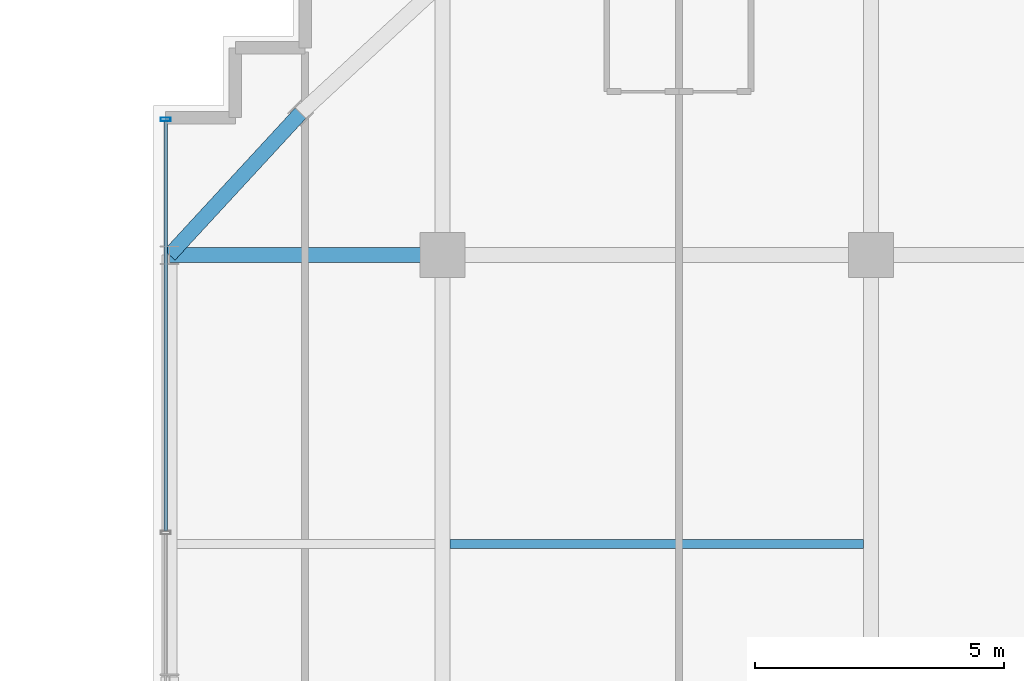
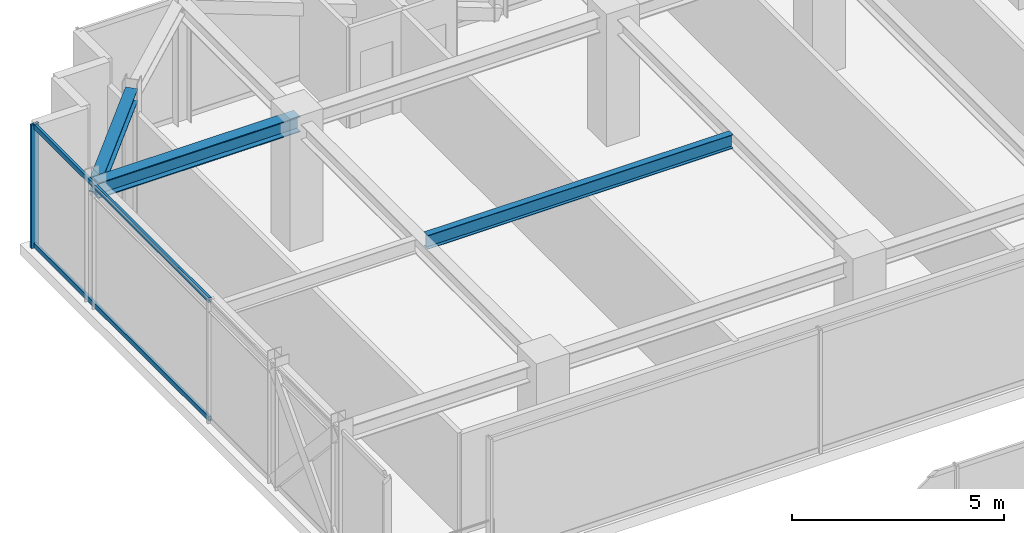
# One storey, part 22 of 37: 3 beams, 3 members, 1 element without a shape of its own.
"""IFC4 building model written with IfcOpenShell, lengths in metres."""

from ifc_helpers import new_model, si_unit, direction, frame, origin, origin_2d, place, context, subcontext, project, spatial, hollow_rectangle, i_section, extrude, source, transform, mapped, material, material_profile, profile_set, type_object, element, aggregate, save


model = new_model("IFC4")

# Units and contexts
model_context = context("Model", 3, precision=1e-05, world=origin(), true_north=direction((0.0, 1.0)))
body_context = subcontext(model_context, "Body", "Model", "MODEL_VIEW")
ifc_project = project(units=[si_unit("LENGTHUNIT", "METRE"), si_unit("AREAUNIT", "SQUARE_METRE"), si_unit("VOLUMEUNIT", "CUBIC_METRE"), si_unit("PLANEANGLEUNIT", "RADIAN"), si_unit("MASSUNIT", "GRAM", prefix="KILO")], contexts=[model_context])

# Site, building, storey
site_placement = place(None, origin())
site = spatial("IfcSite", under=ifc_project, at=site_placement, CompositionType="ELEMENT")
building_placement = place(site_placement, origin())
building = spatial("IfcBuilding", under=site, at=building_placement, Name="Nahalor Promenade Grand Hotel", CompositionType="ELEMENT")
storey_placement = place(building_placement, frame((0.0, 0.0, 308.050048828125)))
storey = spatial("IfcBuildingStorey", under=building, at=storey_placement, Name="L79", CompositionType="ELEMENT", Elevation=308.050048828125)

# Beams
ifc_material_1 = material(Name="Steel S355JR", Category="steel")
ifc_material_profile_1 = material_profile(ifc_material_1, i_section(OverallWidth=0.18, OverallDepth=0.4, WebThickness=0.0086, FlangeThickness=0.0135, at=origin_2d()), Name="IPE 400")
ifc_profile_set_1 = profile_set([ifc_material_profile_1], Name="Steel S355JR")
beam_type_1 = type_object("IfcBeamType", Name="Beam-Joist-IPE400", PredefinedType="JOIST", material=ifc_profile_set_1)
shared_shape_1 = source(origin(), body_context, "Body", "SweptSolid", [
    extrude(i_section(OverallWidth=0.18, OverallDepth=0.4, WebThickness=0.0086, FlangeThickness=0.0135, at=origin_2d()), origin(), (0.0, 0.0, 1.0), 8.300048828125),
])
beam_1_placement = place(storey_placement, frame((-16.85009765625, 11.199951171875, 3.349853515625), z_axis=(1.0, 0.0, 0.0), x_axis=(0.0, 1.0, 0.0)))
element("IfcBeam", 1, at=beam_1_placement, inside=storey, type_object=beam_type_1, Name="BM-L79-JSW-1-1", PredefinedType="JOIST", context=body_context, shape_type="MappedRepresentation", body=[
    mapped(shared_shape_1, transform((0.0, 0.0, 0.0), scale=1.0)),
])
ifc_material_profile_2 = material_profile(ifc_material_1, i_section(OverallWidth=0.3, OverallDepth=0.45, WebThickness=0.014, FlangeThickness=0.026, at=origin_2d()), Name="HEB 450")
ifc_profile_set_2 = profile_set([ifc_material_profile_2], Name="Steel S355JR")
beam_type_2 = type_object("IfcBeamType", Name="Beam-Girder-HEB450", PredefinedType="BEAM", material=ifc_profile_set_2)
shared_shape_2 = source(origin(), body_context, "Body", "SweptSolid", [
    extrude(i_section(OverallWidth=0.3, OverallDepth=0.45, WebThickness=0.014, FlangeThickness=0.026, at=origin_2d()), origin(), (0.0, 0.0, 1.0), 5.47998046875),
])
beam_2_placement = place(storey_placement, frame((-22.47998046875, 17.0, 3.324951171875), z_axis=(1.0, 0.0, 0.0), x_axis=(0.0, 1.0, 0.0)))
element("IfcBeam", 2, at=beam_2_placement, inside=storey, type_object=beam_type_2, Name="BM-L79-GX-3-0", PredefinedType="BEAM", context=body_context, shape_type="MappedRepresentation", body=[
    mapped(shared_shape_2, transform((0.0, 0.0, 0.0), scale=1.0)),
])
ifc_material_profile_3 = material_profile(ifc_material_1, i_section(OverallWidth=0.3, OverallDepth=0.36, WebThickness=0.0125, FlangeThickness=0.0225, at=origin_2d()), Name="HEB 360")
ifc_profile_set_3 = profile_set([ifc_material_profile_3], Name="Steel S355JR")
beam_type_3 = type_object("IfcBeamType", Name="Beam-Spandrel-HEB360", PredefinedType="SPANDREL", material=ifc_profile_set_3)
shared_shape_3 = source(origin(), body_context, "Body", "SweptSolid", [
    extrude(i_section(OverallWidth=0.3, OverallDepth=0.36, WebThickness=0.0125, FlangeThickness=0.0225, at=origin_2d()), origin(), (0.0, 0.0, 1.0), 3.878173828125),
])
beam_3_placement = place(storey_placement, frame((-19.85009765625, 19.85009765625, 3.369873046875), z_axis=(-0.678144125843, -0.73492893846, 0.0), x_axis=(0.73492893846, -0.678144125843, 0.0)))
element("IfcBeam", 3, at=beam_3_placement, inside=storey, type_object=beam_type_3, Name="BM-L79-SPC-NW-2", PredefinedType="SPANDREL", context=body_context, shape_type="MappedRepresentation", body=[
    mapped(shared_shape_3, transform((0.0, 0.0, 0.0), scale=1.0)),
])

# Curtain wall, members
ifc_material_2 = material(Name="Anodised Bronze Aluminium EN AW-6063 T6", Category="aluminium")
curtain_wall_type = type_object("IfcCurtainWallType", Name="CW3 Elliptical-Void Collar Unitised Curtain Wall", PredefinedType="USERDEFINED", material=ifc_material_2)
curtain_wall_placement = place(storey_placement, origin())
curtain_wall = element("IfcCurtainWall", 4, at=curtain_wall_placement, inside=storey, type_object=curtain_wall_type, Name="L79 Curtain Wall CW-L79-W-4", ObjectType="UNITISED_CURTAIN_WALL", PredefinedType="USERDEFINED")
ifc_material_profile_4 = material_profile(ifc_material_2, hollow_rectangle(XDim=0.07, YDim=0.14, WallThickness=0.004, at=origin_2d()), Name="CWT 70x140x4")
ifc_profile_set_4 = profile_set([ifc_material_profile_4], Name="Anodised Bronze Aluminium EN AW-6063 T6")
member_type_1 = type_object("IfcMemberType", Name="CWT3 Void Collar Transom 70x140", PredefinedType="USERDEFINED", material=ifc_profile_set_4)
shared_shape_4 = source(origin(), body_context, "Body", "SweptSolid", [
    extrude(hollow_rectangle(XDim=0.07, YDim=0.14, WallThickness=0.004, at=origin_2d()), origin(), (0.0, 0.0, 1.0), 8.224853515625),
])
member_1_placement = place(storey_placement, frame((-22.56005859375, 11.465087890625, 0.070068359375), z_axis=(0.0, 1.0, 0.0), x_axis=(-1.0, 0.0, 0.0)))
member_1 = element("IfcMember", 5, at=member_1_placement, type_object=member_type_1, Name="CW-L79-W-4 Transom 1-0", ObjectType="TRANSOM", PredefinedType="USERDEFINED", context=body_context, shape_type="MappedRepresentation", body=[
    mapped(shared_shape_4, transform((0.0, 0.0, 0.0), scale=1.0)),
])
member_2_placement = place(storey_placement, frame((-22.56005859375, 11.465087890625, 3.47998046875), z_axis=(0.0, 1.0, 0.0), x_axis=(-1.0, 0.0, 0.0)))
member_2 = element("IfcMember", 6, at=member_2_placement, type_object=member_type_1, Name="CW-L79-W-4 Transom 1-1", ObjectType="TRANSOM", PredefinedType="USERDEFINED", context=body_context, shape_type="MappedRepresentation", body=[
    mapped(shared_shape_4, transform((0.0, 0.0, 0.0), scale=1.0)),
])
ifc_material_profile_5 = material_profile(ifc_material_2, hollow_rectangle(XDim=0.07, YDim=0.2, WallThickness=0.005, at=origin_2d()), Name="CWM 70x200x5")
ifc_profile_set_5 = profile_set([ifc_material_profile_5], Name="Anodised Bronze Aluminium EN AW-6063 T6")
member_type_2 = type_object("IfcMemberType", Name="CWM3 Void Collar Mullion 70x200", PredefinedType="MULLION", material=ifc_profile_set_5)
shared_shape_5 = source(origin(), body_context, "Body", "SweptSolid", [
    extrude(hollow_rectangle(XDim=0.07, YDim=0.2, WallThickness=0.005, at=origin_2d()), origin(), (0.0, 0.0, 1.0), 3.550048828125),
])
member_3_placement = place(storey_placement, frame((-22.56005859375, 19.72509765625, 0.0), z_axis=(0.0, 0.0, 1.0), x_axis=(0.0, 1.0, 0.0)))
member_3 = element("IfcMember", 7, at=member_3_placement, type_object=member_type_2, Name="CW-L79-W-4 Mullion 2", PredefinedType="MULLION", context=body_context, shape_type="MappedRepresentation", body=[
    mapped(shared_shape_5, transform((0.0, 0.0, 0.0), scale=1.0)),
])
aggregate(curtain_wall, [member_3, member_1, member_2])

save(model, "model.ifc")
